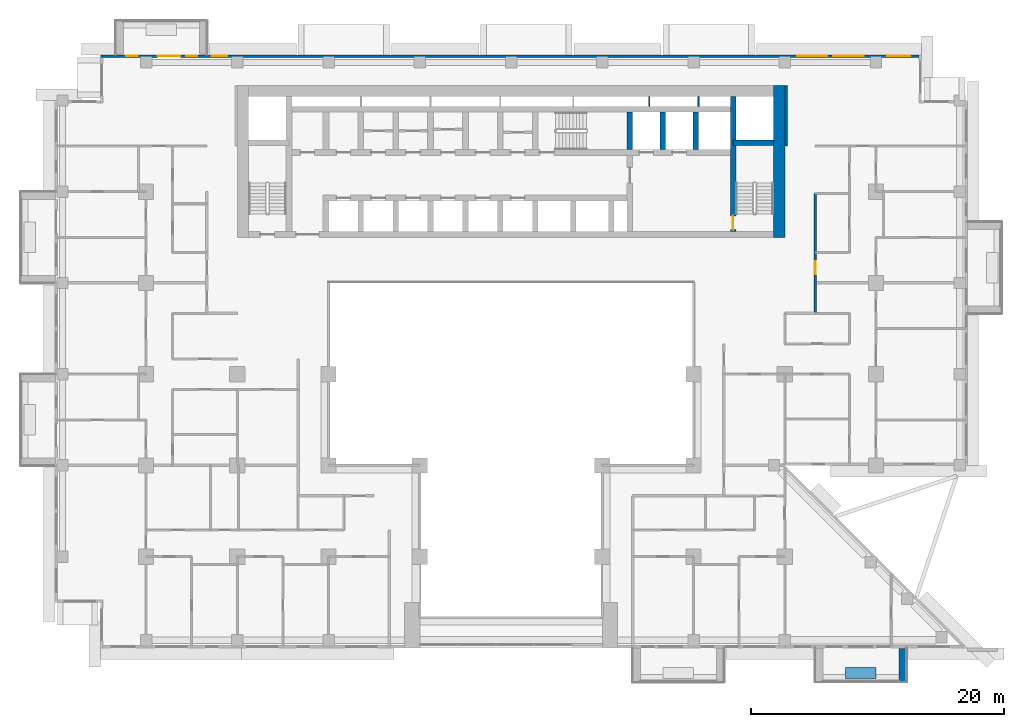
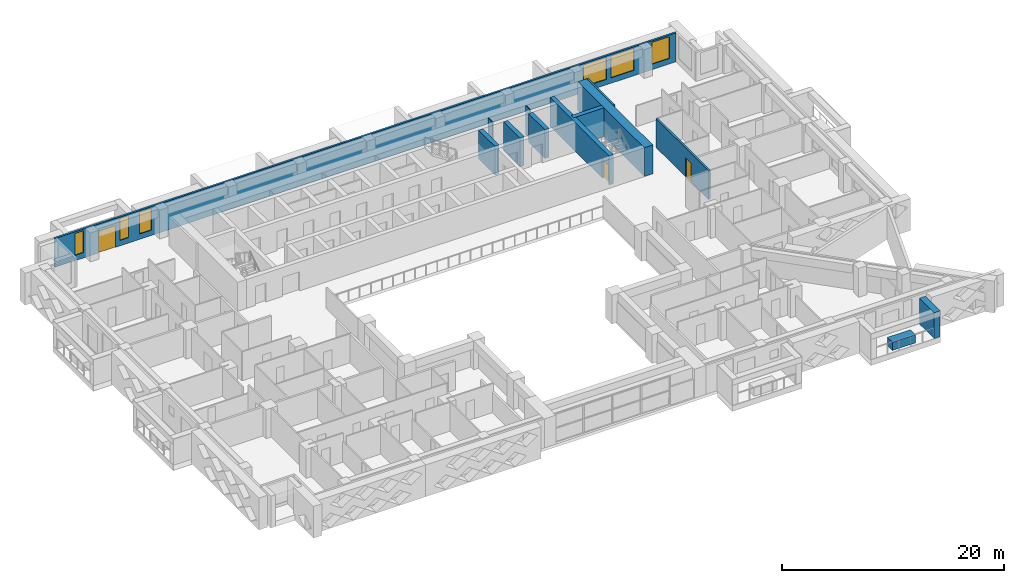
# One storey, part 11 of 17: 13 walls, 6 windows, 3 doors, 9 openings.
"""IFC4 building model written with IfcOpenShell, lengths in metres."""

import ifcopenshell
import ifcopenshell.guid

model = None  # the IFC model being written
_history = None  # IfcOwnerHistory: only IFC2X3 demands one
_inside = {}  # id of a spatial element -> (the spatial element, [elements in it])
_under = {}  # id of a project, library or spatial element -> (it, [spatial elements below it])
_declared = {}  # id of a project -> (the project, [libraries it declares])
_typed = {}  # id of a type object -> (the type object, [elements of that type])
_made_of = {}  # id of a material, layer set ... -> (it, [elements and type objects made of it])


def new_model(schema):
    """Start an empty IFC model of exactly this schema.

    Asked for "IFC4X3", IfcOpenShell would pick the latest addendum, in which some entities
    have other attributes; the version numbers below select the first issue.
    IFC2X3 requires an IfcOwnerHistory on every rooted entity: one is made here for all.
    """
    global model, _history
    if schema == "IFC4X3":
        model = ifcopenshell.file(schema_version=(4, 3, 0, 0))
    else:
        model = ifcopenshell.file(schema=schema)
    _inside.clear()
    _under.clear()
    _declared.clear()
    _typed.clear()
    _made_of.clear()
    _history = None
    if model.schema == "IFC2X3":
        org = make("IfcOrganization", Name="unknown")
        user = make(
            "IfcPersonAndOrganization",
            ThePerson=make("IfcPerson", FamilyName="unknown"),
            TheOrganization=org,
        )
        app = make(
            "IfcApplication",
            ApplicationDeveloper=org,
            Version="unknown",
            ApplicationFullName="unknown",
            ApplicationIdentifier="unknown",
        )
        _history = make(
            "IfcOwnerHistory",
            OwningUser=user,
            OwningApplication=app,
            ChangeAction="ADDED",
            CreationDate=0,
        )
    return model


def make(cls, **values):
    """One entity of the class cls with the attributes given. An attribute that is None is left unset."""
    return model.create_entity(
        cls, **{name: value for name, value in values.items() if value is not None}
    )


def rooted(cls, **values):
    """An entity with a GlobalId (a new one), such as an element, a storey or a relation."""
    return make(cls, GlobalId=ifcopenshell.guid.new(), OwnerHistory=_history, **values)


def si_unit(unit_type, name, prefix=None):
    """IfcSIUnit, for example si_unit("LENGTHUNIT", "METRE", prefix="MILLI")."""
    return make("IfcSIUnit", UnitType=unit_type, Prefix=prefix, Name=name)


def assignment(units):
    """IfcUnitAssignment: the units of a project."""
    return None if units is None else make("IfcUnitAssignment", Units=units)


def point(xyz):
    """IfcCartesianPoint."""
    return None if xyz is None else make("IfcCartesianPoint", Coordinates=xyz)


def direction(xyz):
    """IfcDirection."""
    return None if xyz is None else make("IfcDirection", DirectionRatios=xyz)


def frame(location, z_axis=None, x_axis=None):
    """IfcAxis2Placement3D, a coordinate frame: its origin and axes. An axis left out is left unset."""
    return make(
        "IfcAxis2Placement3D",
        Location=point(location),
        Axis=direction(z_axis),
        RefDirection=direction(x_axis),
    )


def frame_2d(location, x_axis=None):
    """IfcAxis2Placement2D, a coordinate frame in the plane: its origin and x axis."""
    return make(
        "IfcAxis2Placement2D", Location=point(location), RefDirection=direction(x_axis)
    )


def origin():
    """The frame at (0, 0, 0) with its axes left unset."""
    return frame((0.0, 0.0, 0.0))


def place(relative_to, where):
    """IfcLocalPlacement: puts the frame where relative to a parent placement (None: the world)."""
    return make(
        "IfcLocalPlacement", PlacementRelTo=relative_to, RelativePlacement=where
    )


def context(
    kind, dimensions, precision=None, world=None, true_north=None, identifier=None
):
    """IfcGeometricRepresentationContext, for example the 3D "Model" context."""
    return make(
        "IfcGeometricRepresentationContext",
        ContextIdentifier=identifier,
        ContextType=kind,
        CoordinateSpaceDimension=dimensions,
        Precision=precision,
        WorldCoordinateSystem=world,
        TrueNorth=true_north,
    )


def subcontext(parent, identifier, kind, view, scale=None):
    """IfcGeometricRepresentationSubContext, for example "Body" below "Model"."""
    return make(
        "IfcGeometricRepresentationSubContext",
        ContextIdentifier=identifier,
        ContextType=kind,
        ParentContext=parent,
        TargetScale=scale,
        TargetView=view,
    )


def project(units=None, contexts=None):
    """IfcProject with its units and contexts."""
    return rooted(
        "IfcProject",
        Name="project",
        RepresentationContexts=contexts,
        UnitsInContext=assignment(units),
    )


def spatial(cls, under=None, at=None, **own):
    """A site, building, storey or space (cls), placed at a placement, below another one or the project."""
    s = rooted(cls, ObjectPlacement=at, **own)
    if under is not None:
        _under.setdefault(under.id(), (under, []))[1].append(s)
    return s


def profile(cls, at=None, kind="AREA", **sizes):
    """A parametric profile (cls). Its sizes go by their IFC names, for example OverallWidth=200.0."""
    return make(cls, ProfileType=kind, Position=at, **sizes)


def rectangle(**sizes):
    """IfcRectangleProfileDef."""
    return profile("IfcRectangleProfileDef", **sizes)


def extrude(swept, where, along, depth):
    """IfcExtrudedAreaSolid: the profile swept, set in the frame where, extruded along a direction by depth."""
    return make(
        "IfcExtrudedAreaSolid",
        SweptArea=swept,
        Position=where,
        ExtrudedDirection=direction(along),
        Depth=depth,
    )


def shape(context_of_items, identifier, shape_type, items):
    """IfcShapeRepresentation: the items that make up one representation, for example the "Body"."""
    return make(
        "IfcShapeRepresentation",
        ContextOfItems=context_of_items,
        RepresentationIdentifier=identifier,
        RepresentationType=shape_type,
        Items=items,
    )


def material(Name=None, Category=None):
    """IfcMaterial."""
    return make("IfcMaterial", Name=Name, Category=Category)


def layer(
    of_material, thickness, ventilated=None, Name=None, Category=None, Priority=None
):
    """IfcMaterialLayer: one layer of a wall or slab, of a material (None: an air gap)."""
    return make(
        "IfcMaterialLayer",
        Material=of_material,
        LayerThickness=thickness,
        IsVentilated=ventilated,
        Name=Name,
        Category=Category,
        Priority=Priority,
    )


def layer_set(layers, Name=None):
    """IfcMaterialLayerSet."""
    return make("IfcMaterialLayerSet", MaterialLayers=layers, LayerSetName=Name)


def made_of(thing, what):
    """Note that an element or type object is made of a material, layer set ...; save() writes the relation."""
    if what is not None:
        _made_of.setdefault(what.id(), (what, []))[1].append(thing)
    return thing


def type_object(cls, material=None, **own):
    """A type object (cls), such as IfcWallType, which elements share."""
    return made_of(rooted(cls, **own), material)


def element(
    cls,
    number,
    at=None,
    inside=None,
    cuts=None,
    type_object=None,
    material=None,
    context=None,
    identifier="Body",
    shape_type=None,
    held_by="IfcProductDefinitionShape",
    body=None,
    shapes=None,
    **own,
):
    """One element of the class cls, such as IfcWall. Its Tag is "e" and its number.

    at: its placement. inside: the storey or other place that contains it. cuts: it is an
    opening in that element (IfcRelVoidsElement). A single representation is given by context,
    identifier, shape_type and body (its items); several are given by shapes. held_by: the class
    of the entity that holds the representations. save() writes the other relations.
    """
    e = rooted(cls, Tag="e%d" % number, ObjectPlacement=at, **own)
    if body is not None:
        shapes = [shape(context, identifier, shape_type, body)]
    if shapes is not None:
        e.Representation = make(held_by, Representations=shapes)
    if inside is not None:
        _inside.setdefault(inside.id(), (inside, []))[1].append(e)
    if cuts is not None:
        rooted(
            "IfcRelVoidsElement", RelatingBuildingElement=cuts, RelatedOpeningElement=e
        )
    if type_object is not None:
        _typed.setdefault(type_object.id(), (type_object, []))[1].append(e)
    return made_of(e, material)


def fill(opening, filler):
    """IfcRelFillsElement: the door or window that sits in an opening."""
    return rooted(
        "IfcRelFillsElement",
        RelatingOpeningElement=opening,
        RelatedBuildingElement=filler,
    )


def aggregate(whole, parts):
    """IfcRelAggregates: a whole, such as a stair, and the parts it consists of."""
    return rooted("IfcRelAggregates", RelatingObject=whole, RelatedObjects=parts)


def save(model, path):
    """Write the relations noted so far, then the file.

    IfcRelAggregates (storeys below a building ...), IfcRelContainedInSpatialStructure (elements
    in a storey), IfcRelDefinesByType, IfcRelAssociatesMaterial and IfcRelDeclares: one each for
    every whole, place, type object, material and project.
    """
    for whole, parts in _under.values():
        aggregate(whole, parts)
    for where, things in _inside.values():
        rooted(
            "IfcRelContainedInSpatialStructure",
            RelatedElements=things,
            RelatingStructure=where,
        )
    for kind, things in _typed.values():
        rooted("IfcRelDefinesByType", RelatedObjects=things, RelatingType=kind)
    for what, things in _made_of.values():
        rooted("IfcRelAssociatesMaterial", RelatedObjects=things, RelatingMaterial=what)
    for by, libraries in _declared.values():
        rooted("IfcRelDeclares", RelatingContext=by, RelatedDefinitions=libraries)
    model.write(path)


model = new_model("IFC4")

# Units and contexts
model_context = context("Model", 3, precision=1e-05, world=origin(), true_north=direction((0.0, 1.0)))
body_context = subcontext(model_context, "Body", "Model", "MODEL_VIEW")
ifc_project = project(units=[si_unit("LENGTHUNIT", "METRE"), si_unit("AREAUNIT", "SQUARE_METRE"), si_unit("VOLUMEUNIT", "CUBIC_METRE"), si_unit("PLANEANGLEUNIT", "RADIAN"), si_unit("MASSUNIT", "GRAM", prefix="KILO")], contexts=[model_context])

# Site, building, storey
site_placement = place(None, origin())
site = spatial("IfcSite", under=ifc_project, at=site_placement, CompositionType="ELEMENT")
building_placement = place(site_placement, origin())
building = spatial("IfcBuilding", under=site, at=building_placement, Name="Saffron Iwan Residences", CompositionType="ELEMENT")
storey_placement = place(building_placement, frame((0.0, 0.0, 100.5)))
storey = spatial("IfcBuildingStorey", under=building, at=storey_placement, Name="L26", CompositionType="ELEMENT", Elevation=100.5)

# Walls
ifc_material_1 = material(Name="Concrete C50/60 white painted", Category="concrete")
ifc_layer_1 = layer(ifc_material_1, 0.60009765625)
ifc_layer_set_1 = layer_set([ifc_layer_1], Name="Concrete C50/60 white painted")
wall_type_1 = type_object("IfcWallType", Name="BALCONY FIN 600", PredefinedType="SOLIDWALL", material=ifc_layer_set_1)
wall_1_placement = place(storey_placement, frame((81.300048828125, 33.550048828125, 0.0), z_axis=(0.0, 0.0, 1.0), x_axis=(0.0, -1.0, 0.0)))
element("IfcWall", 1, at=wall_1_placement, inside=storey, type_object=wall_type_1, Name="Balcony fin L26 11-2b", PredefinedType="SOLIDWALL", context=body_context, shape_type="SweptSolid", body=[
    extrude(rectangle(XDim=2.650146484375, YDim=0.60009765625, at=frame_2d((1.3251953125, 0.0))), origin(), (0.0, 0.0, 1.0), 2.85009765625),
])
ifc_material_2 = material(Name="Concrete C35/45 white painted", Category="concrete")
ifc_layer_2 = layer(ifc_material_2, 0.14990234375)
ifc_layer_set_2 = layer_set([ifc_layer_2], Name="Concrete C35/45 white painted")
wall_type_2 = type_object("IfcWallType", Name="BALCONY PLANTER", PredefinedType="SOLIDWALL", material=ifc_layer_set_2)
wall_2_placement = place(storey_placement, frame((76.800048828125, 31.625, 0.0), z_axis=(0.0, 0.0, 1.0), x_axis=(1.0, 0.0, 0.0)))
element("IfcWall", 2, at=wall_2_placement, inside=storey, type_object=wall_type_2, Name="PLANTER L26 11-2", PredefinedType="SOLIDWALL", context=body_context, shape_type="SweptSolid", body=[
    extrude(rectangle(XDim=2.39990234375, YDim=0.89990234375, at=frame_2d((1.199951171875, 0.0))), origin(), (0.0, 0.0, 1.0), 0.89990234375),
])

# Wall, openings, door, windows
ifc_material_3 = material(Name="Concrete C40/50", Category="concrete")
ifc_layer_3 = layer(ifc_material_3, 0.199951171875)
ifc_layer_set_3 = layer_set([ifc_layer_3], Name="Concrete C40/50")
wall_type_3 = type_object("IfcWallType", Name="EXTERNAL WALL 200", PredefinedType="SOLIDWALL", material=ifc_layer_set_3)
wall_3_placement = place(storey_placement, frame((82.60009765625, 80.300048828125, 0.0), z_axis=(0.0, 0.0, 1.0), x_axis=(-1.0, 0.0, 0.0)))
wall_3 = element("IfcWall", 3, at=wall_3_placement, inside=storey, type_object=wall_type_3, Name="External wall L26 F5.0", PredefinedType="SOLIDWALL", context=body_context, shape_type="SweptSolid", body=[
    extrude(rectangle(XDim=64.60009765625, YDim=0.199951171875, at=frame_2d((32.300048828125, 0.0))), origin(), (0.0, 0.0, 1.0), 3.179931640625),
])
opening_1_placement = place(wall_3_placement, frame((58.300048828125, 0.0, 0.0)))
opening_1 = element("IfcOpeningElement", 4, at=opening_1_placement, cuts=wall_3, Name="Opening BD1", PredefinedType="OPENING", context=body_context, shape_type="SweptSolid", body=[
    extrude(rectangle(XDim=1.800048828125, YDim=2.39990234375, at=frame_2d((0.89990234375, 1.199951171875))), frame((0.0, 0.10986328125, 0.0), z_axis=(0.0, -1.0, 0.0), x_axis=(1.0, 0.0, 0.0)), (0.0, 0.0, 1.0), 0.219970703125),
])
opening_2_placement = place(wall_3_placement, frame((54.60009765625, 0.0, 0.60009765625)))
opening_2 = element("IfcOpeningElement", 5, at=opening_2_placement, cuts=wall_3, Name="Opening W3", PredefinedType="OPENING", context=body_context, shape_type="SweptSolid", body=[
    extrude(rectangle(XDim=1.199951171875, YDim=2.39990234375, at=frame_2d((0.60009765625, 1.199951171875))), frame((0.0, 0.10986328125, 0.0), z_axis=(0.0, -1.0, 0.0), x_axis=(1.0, 0.0, 0.0)), (0.0, 0.0, 1.0), 0.219970703125),
])
opening_3_placement = place(wall_3_placement, frame((56.949951171875, 0.0, 0.60009765625)))
opening_3 = element("IfcOpeningElement", 6, at=opening_3_placement, cuts=wall_3, Name="Opening W10", PredefinedType="OPENING", context=body_context, shape_type="SweptSolid", body=[
    extrude(rectangle(XDim=0.89990234375, YDim=2.39990234375, at=frame_2d((0.449951171875, 1.199951171875))), frame((0.0, 0.10986328125, 0.0), z_axis=(0.0, -1.0, 0.0), x_axis=(1.0, 0.0, 0.0)), (0.0, 0.0, 1.0), 0.219970703125),
])
opening_4_placement = place(wall_3_placement, frame((61.64990234375, 0.0, 0.60009765625)))
opening_4 = element("IfcOpeningElement", 7, at=opening_4_placement, cuts=wall_3, Name="Opening W10", PredefinedType="OPENING", context=body_context, shape_type="SweptSolid", body=[
    extrude(rectangle(XDim=0.89990234375, YDim=2.39990234375, at=frame_2d((0.449951171875, 1.199951171875))), frame((0.0, 0.10986328125, 0.0), z_axis=(0.0, -1.0, 0.0), x_axis=(1.0, 0.0, 0.0)), (0.0, 0.0, 1.0), 0.219970703125),
])
opening_5_placement = place(wall_3_placement, frame((0.699951171875, 0.0, 0.60009765625)))
opening_5 = element("IfcOpeningElement", 8, at=opening_5_placement, cuts=wall_3, Name="Opening W8", PredefinedType="OPENING", context=body_context, shape_type="SweptSolid", body=[
    extrude(rectangle(XDim=1.800048828125, YDim=2.39990234375, at=frame_2d((0.89990234375, 1.199951171875))), frame((0.0, 0.10986328125, 0.0), z_axis=(0.0, -1.0, 0.0), x_axis=(1.0, 0.0, 0.0)), (0.0, 0.0, 1.0), 0.219970703125),
])
opening_6_placement = place(wall_3_placement, frame((4.36669921875, 0.0, 0.60009765625)))
opening_6 = element("IfcOpeningElement", 9, at=opening_6_placement, cuts=wall_3, Name="Opening W1", PredefinedType="OPENING", context=body_context, shape_type="SweptSolid", body=[
    extrude(rectangle(XDim=2.39990234375, YDim=2.39990234375, at=frame_2d((1.199951171875, 1.199951171875))), frame((0.0, 0.10986328125, 0.0), z_axis=(0.0, -1.0, 0.0), x_axis=(1.0, 0.0, 0.0)), (0.0, 0.0, 1.0), 0.219970703125),
])
opening_7_placement = place(wall_3_placement, frame((7.2333984375, 0.0, 0.60009765625)))
opening_7 = element("IfcOpeningElement", 10, at=opening_7_placement, cuts=wall_3, Name="Opening W1", PredefinedType="OPENING", context=body_context, shape_type="SweptSolid", body=[
    extrude(rectangle(XDim=2.39990234375, YDim=2.39990234375, at=frame_2d((1.199951171875, 1.199951171875))), frame((0.0, 0.10986328125, 0.0), z_axis=(0.0, -1.0, 0.0), x_axis=(1.0, 0.0, 0.0)), (0.0, 0.0, 1.0), 0.219970703125),
])
ifc_material_4 = material(Name="Clear glass, laminated double glazed", Category="glass")
door_type_1 = type_object("IfcDoorType", Name="BALCONY DOOR 1800 x 2400", OperationType="DOUBLE_DOOR_SLIDING", PredefinedType="DOOR", material=ifc_material_4)
door_1_placement = place(opening_1_placement, origin())
door_1 = element("IfcDoor", 11, at=door_1_placement, inside=storey, type_object=door_type_1, Name="Balcony door L26 F5.0", OperationType="DOUBLE_DOOR_SLIDING", OverallHeight=2.39990234375, OverallWidth=1.800048828125, PredefinedType="DOOR", context=body_context, shape_type="SweptSolid", body=[
    extrude(rectangle(XDim=1.800048828125, YDim=2.39990234375, at=frame_2d((0.89990234375, 1.199951171875))), frame((0.0, 0.02490234375, 0.0), z_axis=(0.0, -1.0, 0.0), x_axis=(1.0, 0.0, 0.0)), (0.0, 0.0, 1.0), 0.050048828125),
])
fill(opening_1, door_1)
window_type_1 = type_object("IfcWindowType", Name="WINDOW 1200 x 2400", PartitioningType="SINGLE_PANEL", PredefinedType="WINDOW", material=ifc_material_4)
window_1_placement = place(opening_2_placement, origin())
window_1 = element("IfcWindow", 12, at=window_1_placement, inside=storey, type_object=window_type_1, Name="Window L26 F5.1", OverallHeight=2.39990234375, OverallWidth=1.199951171875, PartitioningType="SINGLE_PANEL", PredefinedType="WINDOW", context=body_context, shape_type="SweptSolid", body=[
    extrude(rectangle(XDim=1.199951171875, YDim=2.39990234375, at=frame_2d((0.60009765625, 1.199951171875))), frame((0.0, 0.030029296875, 0.0), z_axis=(0.0, -1.0, 0.0), x_axis=(1.0, 0.0, 0.0)), (0.0, 0.0, 1.0), 0.06005859375),
])
fill(opening_2, window_1)
window_type_2 = type_object("IfcWindowType", Name="WINDOW 1800 x 2400", PartitioningType="DOUBLE_PANEL_VERTICAL", PredefinedType="WINDOW", material=ifc_material_4)
window_2_placement = place(opening_5_placement, origin())
window_2 = element("IfcWindow", 13, at=window_2_placement, inside=storey, type_object=window_type_2, Name="Window L26 F5.4", OverallHeight=2.39990234375, OverallWidth=1.800048828125, PartitioningType="DOUBLE_PANEL_VERTICAL", PredefinedType="WINDOW", context=body_context, shape_type="SweptSolid", body=[
    extrude(rectangle(XDim=1.800048828125, YDim=2.39990234375, at=frame_2d((0.89990234375, 1.199951171875))), frame((0.0, 0.030029296875, 0.0), z_axis=(0.0, -1.0, 0.0), x_axis=(1.0, 0.0, 0.0)), (0.0, 0.0, 1.0), 0.06005859375),
])
fill(opening_5, window_2)
window_type_3 = type_object("IfcWindowType", Name="WINDOW 2400 x 2400", PartitioningType="DOUBLE_PANEL_VERTICAL", PredefinedType="WINDOW", material=ifc_material_4)
window_3_placement = place(opening_6_placement, origin())
window_3 = element("IfcWindow", 14, at=window_3_placement, inside=storey, type_object=window_type_3, Name="Window L26 F5.5", OverallHeight=2.39990234375, OverallWidth=2.39990234375, PartitioningType="DOUBLE_PANEL_VERTICAL", PredefinedType="WINDOW", context=body_context, shape_type="SweptSolid", body=[
    extrude(rectangle(XDim=2.39990234375, YDim=2.39990234375, at=frame_2d((1.199951171875, 1.199951171875))), frame((0.0, 0.030029296875, 0.0), z_axis=(0.0, -1.0, 0.0), x_axis=(1.0, 0.0, 0.0)), (0.0, 0.0, 1.0), 0.06005859375),
])
fill(opening_6, window_3)
window_4_placement = place(opening_7_placement, origin())
window_4 = element("IfcWindow", 15, at=window_4_placement, inside=storey, type_object=window_type_3, Name="Window L26 F5.6", OverallHeight=2.39990234375, OverallWidth=2.39990234375, PartitioningType="DOUBLE_PANEL_VERTICAL", PredefinedType="WINDOW", context=body_context, shape_type="SweptSolid", body=[
    extrude(rectangle(XDim=2.39990234375, YDim=2.39990234375, at=frame_2d((1.199951171875, 1.199951171875))), frame((0.0, 0.030029296875, 0.0), z_axis=(0.0, -1.0, 0.0), x_axis=(1.0, 0.0, 0.0)), (0.0, 0.0, 1.0), 0.06005859375),
])
fill(opening_7, window_4)
window_type_4 = type_object("IfcWindowType", Name="WINDOW 900 x 2400", PartitioningType="SINGLE_PANEL", PredefinedType="WINDOW", material=ifc_material_4)
window_5_placement = place(opening_3_placement, origin())
window_5 = element("IfcWindow", 16, at=window_5_placement, inside=storey, type_object=window_type_4, Name="Window L26 F5.2", OverallHeight=2.39990234375, OverallWidth=0.89990234375, PartitioningType="SINGLE_PANEL", PredefinedType="WINDOW", context=body_context, shape_type="SweptSolid", body=[
    extrude(rectangle(XDim=0.89990234375, YDim=2.39990234375, at=frame_2d((0.449951171875, 1.199951171875))), frame((0.0, 0.030029296875, 0.0), z_axis=(0.0, -1.0, 0.0), x_axis=(1.0, 0.0, 0.0)), (0.0, 0.0, 1.0), 0.06005859375),
])
fill(opening_3, window_5)
window_6_placement = place(opening_4_placement, origin())
window_6 = element("IfcWindow", 17, at=window_6_placement, inside=storey, type_object=window_type_4, Name="Window L26 F5.3", OverallHeight=2.39990234375, OverallWidth=0.89990234375, PartitioningType="SINGLE_PANEL", PredefinedType="WINDOW", context=body_context, shape_type="SweptSolid", body=[
    extrude(rectangle(XDim=0.89990234375, YDim=2.39990234375, at=frame_2d((0.449951171875, 1.199951171875))), frame((0.0, 0.030029296875, 0.0), z_axis=(0.0, -1.0, 0.0), x_axis=(1.0, 0.0, 0.0)), (0.0, 0.0, 1.0), 0.06005859375),
])
fill(opening_4, window_6)

# Wall
ifc_material_5 = material(Name="Fire-rated gypsum board wall")
ifc_layer_4 = layer(ifc_material_5, 0.199951171875)
ifc_layer_set_4 = layer_set([ifc_layer_4], Name="Fire-rated gypsum board wall")
wall_type_4 = type_object("IfcWallType", Name="Gallery wall 200", PredefinedType="SOLIDWALL", material=ifc_layer_set_4)
wall_4_placement = place(storey_placement, frame((72.10009765625, 73.199951171875, 0.0), z_axis=(0.0, 0.0, 1.0), x_axis=(0.0, 1.0, 0.0)))
element("IfcWall", 18, at=wall_4_placement, inside=storey, type_object=wall_type_4, Name="W-L26-CORR-v72-73.2", PredefinedType="SOLIDWALL", context=body_context, shape_type="SweptSolid", body=[
    extrude(rectangle(XDim=4.800048828125, YDim=0.199951171875, at=frame_2d((2.39990234375, 0.0))), origin(), (0.0, 0.0, 1.0), 3.179931640625),
])

# Wall, opening, door
wall_5_placement = place(storey_placement, frame((74.39990234375, 60.0, 0.0), z_axis=(0.0, 0.0, 1.0), x_axis=(0.0, 1.0, 0.0)))
wall_5 = element("IfcWall", 19, at=wall_5_placement, inside=storey, type_object=wall_type_4, Name="W-L26-CORR-v74.4-60", PredefinedType="SOLIDWALL", context=body_context, shape_type="SweptSolid", body=[
    extrude(rectangle(XDim=9.449951171875, YDim=0.199951171875, at=frame_2d((4.72509765625, 0.0))), origin(), (0.0, 0.0, 1.0), 3.179931640625),
])
opening_8_placement = place(wall_5_placement, frame((3.10009765625, 0.0, 0.0)))
opening_8 = element("IfcOpeningElement", 20, at=opening_8_placement, cuts=wall_5, Name="Opening FD1", PredefinedType="OPENING", context=body_context, shape_type="SweptSolid", body=[
    extrude(rectangle(XDim=1.0, YDim=2.10009765625, at=frame_2d((0.5, 1.050048828125))), frame((0.0, 0.10986328125, 0.0), z_axis=(0.0, -1.0, 0.0), x_axis=(1.0, 0.0, 0.0)), (0.0, 0.0, 1.0), 0.219970703125),
])
ifc_material_6 = material(Name="Fire-rated timber door", Category="wood")
door_type_2 = type_object("IfcDoorType", Name="FD30S flat entrance door 1000", OperationType="NOTDEFINED", PredefinedType="DOOR", material=ifc_material_6)
door_2_placement = place(opening_8_placement, origin())
door_2 = element("IfcDoor", 21, at=door_2_placement, inside=storey, type_object=door_type_2, Name="Door L26-035", OperationType="SINGLE_SWING_RIGHT", OverallHeight=2.10009765625, OverallWidth=1.0, PredefinedType="DOOR", context=body_context, shape_type="SweptSolid", body=[
    extrude(rectangle(XDim=1.0, YDim=2.10009765625, at=frame_2d((0.5, 1.050048828125))), frame((0.0, 0.02490234375, 0.0), z_axis=(0.0, -1.0, 0.0), x_axis=(1.0, 0.0, 0.0)), (0.0, 0.0, 1.0), 0.050048828125),
])
fill(opening_8, door_2)

# Walls
ifc_material_7 = material(Name="Fire-rated plasterboard partition")
ifc_layer_5 = layer(ifc_material_7, 0.10009765625)
ifc_layer_set_5 = layer_set([ifc_layer_5], Name="Fire-rated plasterboard partition")
wall_type_5 = type_object("IfcWallType", Name="Riser partition 100", PredefinedType="PARTITIONING", material=ifc_layer_set_5)
for number, where, z_axis, x_axis, name in (
    (22, (61.300048828125, 76.324951171875, 0.0), (0.0, 0.0, 1.0), (0.0, 1.0, 0.0), "Core partition P09"),
    (23, (65.199951171875, 76.324951171875, 0.0), (0.0, 0.0, 1.0), (0.0, 1.0, 0.0), "Core partition P10"),
):
    element("IfcWall", number, at=place(storey_placement, frame(where, z_axis=z_axis, x_axis=x_axis)), inside=storey, type_object=wall_type_5, Name=name, PredefinedType="PARTITIONING", context=body_context, shape_type="SweptSolid", body=[
        extrude(rectangle(XDim=0.775146484375, YDim=0.10009765625, at=frame_2d((0.3876953125, 0.0))), origin(), (0.0, 0.0, 1.0), 3.179931640625),
    ])
ifc_material_8 = material(Name="Concrete C60/75", Category="concrete")
ifc_layer_6 = layer(ifc_material_8, 0.449951171875)
ifc_layer_set_6 = layer_set([ifc_layer_6], Name="Concrete C60/75")
wall_type_6 = type_object("IfcWallType", Name="WALL CORE 450 C60/75 3180 HIGH", PredefinedType="SHEAR", material=ifc_layer_set_6)
wall_6_placement = place(storey_placement, frame((67.925048828125, 73.47509765625, 0.0), z_axis=(0.0, 0.0, 1.0), x_axis=(1.0, 0.0, 0.0)))
element("IfcWall", 24, at=wall_6_placement, inside=storey, type_object=wall_type_6, Name="Core wall", PredefinedType="SHEAR", context=body_context, shape_type="SweptSolid", body=[
    extrude(rectangle(XDim=3.175048828125, YDim=0.449951171875, at=frame_2d((1.58740234375, 0.0))), origin(), (0.0, 0.0, 1.0), 3.179931640625),
])

# Wall, opening, door
wall_7_placement = place(storey_placement, frame((67.925048828125, 66.449951171875, 0.0), z_axis=(0.0, 0.0, 1.0), x_axis=(0.0, 1.0, 0.0)))
wall_7 = element("IfcWall", 25, at=wall_7_placement, inside=storey, type_object=wall_type_6, Name="Core wall", PredefinedType="SHEAR", context=body_context, shape_type="SweptSolid", body=[
    extrude(rectangle(XDim=10.650146484375, YDim=0.449951171875, at=frame_2d((5.3251953125, 0.0))), origin(), (0.0, 0.0, 1.0), 3.179931640625),
])
opening_9_placement = place(wall_7_placement, frame((0.14990234375, 0.0, 0.0)))
opening_9 = element("IfcOpeningElement", 26, at=opening_9_placement, cuts=wall_7, Name="Opening SD", PredefinedType="OPENING", context=body_context, shape_type="SweptSolid", body=[
    extrude(rectangle(XDim=1.10009765625, YDim=2.10009765625, at=frame_2d((0.550048828125, 1.050048828125))), frame((0.0, 0.23486328125, 0.0), z_axis=(0.0, -1.0, 0.0), x_axis=(1.0, 0.0, 0.0)), (0.0, 0.0, 1.0), 0.469970703125),
])
ifc_material_9 = material(Name="Steel fire door", Category="steel")
door_type_3 = type_object("IfcDoorType", Name="Stair door 1100", OperationType="NOTDEFINED", PredefinedType="DOOR", material=ifc_material_9)
door_3_placement = place(opening_9_placement, origin())
door_3 = element("IfcDoor", 27, at=door_3_placement, inside=storey, type_object=door_type_3, Name="Stair door ST-E", OperationType="SINGLE_SWING_LEFT", OverallHeight=2.10009765625, OverallWidth=1.10009765625, PredefinedType="DOOR", context=body_context, shape_type="SweptSolid", body=[
    extrude(rectangle(XDim=1.10009765625, YDim=2.10009765625, at=frame_2d((0.550048828125, 1.050048828125))), frame((0.0, 0.02490234375, 0.0), z_axis=(0.0, -1.0, 0.0), x_axis=(1.0, 0.0, 0.0)), (0.0, 0.0, 1.0), 0.050048828125),
])
fill(opening_9, door_3)

# Walls
for number, where, z_axis, x_axis, name in (
    (28, (59.77490234375, 72.925048828125, 0.0), (0.0, 0.0, 1.0), (0.0, 1.0, 0.0), "Core wall"),
    (29, (62.375, 72.925048828125, 0.0), (0.0, 0.0, 1.0), (0.0, 1.0, 0.0), "Core wall"),
    (30, (64.97509765625, 72.925048828125, 0.0), (0.0, 0.0, 1.0), (0.0, 1.0, 0.0), "Core wall"),
):
    element("IfcWall", number, at=place(storey_placement, frame(where, z_axis=z_axis, x_axis=x_axis)), inside=storey, type_object=wall_type_6, Name=name, PredefinedType="SHEAR", context=body_context, shape_type="SweptSolid", body=[
        extrude(rectangle(XDim=2.949951171875, YDim=0.449951171875, at=frame_2d((1.47509765625, 0.0))), origin(), (0.0, 0.0, 1.0), 3.179931640625),
    ])
ifc_layer_7 = layer(ifc_material_8, 0.89990234375)
ifc_layer_set_7 = layer_set([ifc_layer_7], Name="Concrete C60/75")
wall_type_7 = type_object("IfcWallType", Name="WALL CORE 900 C60/75 3180 HIGH", PredefinedType="SHEAR", material=ifc_layer_set_7)
wall_8_placement = place(storey_placement, frame((71.550048828125, 66.0, 0.0), z_axis=(0.0, 0.0, 1.0), x_axis=(0.0, 1.0, 0.0)))
element("IfcWall", 31, at=wall_8_placement, inside=storey, type_object=wall_type_7, Name="Core wall", PredefinedType="SHEAR", context=body_context, shape_type="SweptSolid", body=[
    extrude(rectangle(XDim=12.0, YDim=0.89990234375, at=frame_2d((6.0, 0.0))), origin(), (0.0, 0.0, 1.0), 3.179931640625),
])

save(model, "model.ifc")
